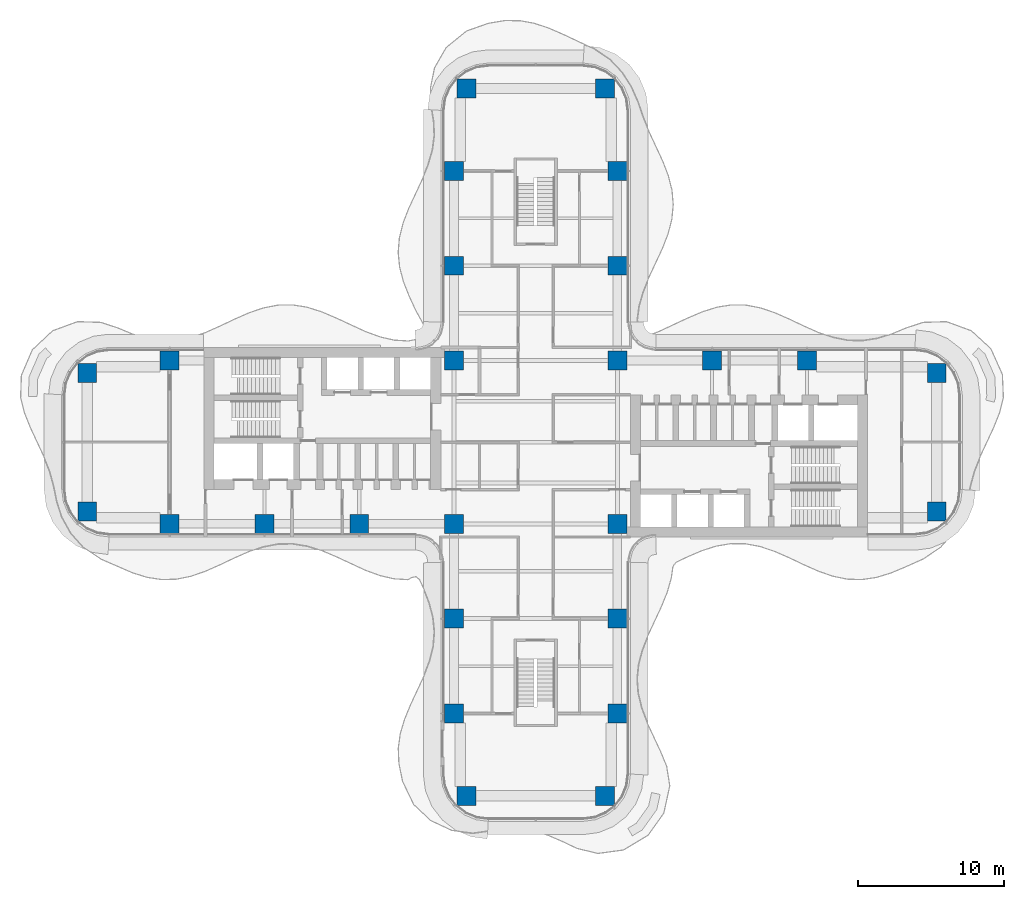
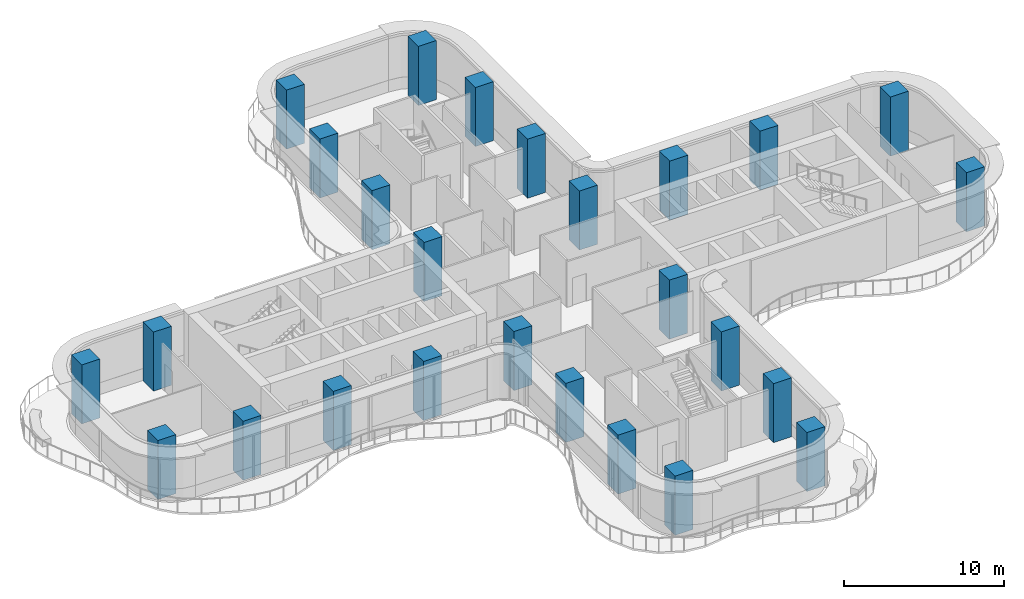
# One storey, part 1 of 20: 26 columns.
"""IFC4 building model written with IfcOpenShell, lengths in metres."""

from ifc_helpers import new_model, si_unit, direction, frame, origin, origin_2d, place, context, subcontext, project, spatial, rectangle, extrude, source, transform, mapped, material, material_profile, profile_set, type_object, element, save


model = new_model("IFC4")

# Units and contexts
model_context = context("Model", 3, precision=1e-05, world=origin(), true_north=direction((0.0, 1.0)))
body_context = subcontext(model_context, "Body", "Model", "MODEL_VIEW")
ifc_project = project(units=[si_unit("LENGTHUNIT", "METRE"), si_unit("AREAUNIT", "SQUARE_METRE"), si_unit("VOLUMEUNIT", "CUBIC_METRE"), si_unit("PLANEANGLEUNIT", "RADIAN"), si_unit("MASSUNIT", "GRAM", prefix="KILO")], contexts=[model_context])

# Site, building, storey
site_placement = place(None, origin())
site = spatial("IfcSite", under=ifc_project, at=site_placement, CompositionType="ELEMENT")
building_placement = place(site_placement, origin())
building = spatial("IfcBuilding", under=site, at=building_placement, Name="Trellis Farm Tower", CompositionType="ELEMENT")
storey_placement = place(building_placement, frame((0.0, 0.0, 142.5)))
storey = spatial("IfcBuildingStorey", under=building, at=storey_placement, Name="L30", CompositionType="ELEMENT", Elevation=142.5)

# Columns
ifc_material = material(Name="Concrete C80/95", Category="concrete")
ifc_material_profile = material_profile(ifc_material, rectangle(XDim=1.300048828125, YDim=1.300048828125, at=origin_2d()), Name="RC column 1300x1300 C80/95")
ifc_profile_set = profile_set([ifc_material_profile], Name="Concrete C80/95")
column_type = type_object("IfcColumnType", Name="RC column 1300x1300 C80/95", PredefinedType="COLUMN", material=ifc_profile_set)
shared_shape = source(origin(), body_context, "Body", "SweptSolid", [
    extrude(rectangle(XDim=1.300048828125, YDim=1.300048828125, at=origin_2d()), origin(), (0.0, 0.0, 1.0), 4.5),
])
for number, where, z_axis, x_axis, name in (
    (1, (12.10009765625, 5.60009765625, 0.0), (0.0, 0.0, 1.0), (1.0, 0.0, 0.0), "Column"),
    (2, (18.60009765625, 5.60009765625, 0.0), (0.0, 0.0, 1.0), (1.0, 0.0, 0.0), "Column"),
    (3, (27.5, 4.75, 0.0), (0.0, 0.0, 1.0), (1.0, 0.0, 0.0), "Column"),
    (4, (27.5, -4.75, 0.0), (0.0, 0.0, 1.0), (1.0, 0.0, 0.0), "Column"),
    (5, (-5.60009765625, 12.10009765625, 0.0), (0.0, 0.0, 1.0), (1.0, 0.0, 0.0), "Column"),
    (6, (-5.60009765625, 18.60009765625, 0.0), (0.0, 0.0, 1.0), (1.0, 0.0, 0.0), "Column"),
    (7, (-4.75, 24.25, 0.0), (0.0, 0.0, 1.0), (1.0, 0.0, 0.0), "Column"),
    (8, (5.60009765625, 12.10009765625, 0.0), (0.0, 0.0, 1.0), (1.0, 0.0, 0.0), "Column"),
    (9, (5.60009765625, 18.60009765625, 0.0), (0.0, 0.0, 1.0), (1.0, 0.0, 0.0), "Column"),
    (10, (4.75, 24.25, 0.0), (0.0, 0.0, 1.0), (1.0, 0.0, 0.0), "Column"),
    (11, (5.60009765625, 5.60009765625, 0.0), (0.0, 0.0, 1.0), (1.0, 0.0, 0.0), "Column"),
    (12, (-5.60009765625, 5.60009765625, 0.0), (0.0, 0.0, 1.0), (1.0, 0.0, 0.0), "Column"),
    (13, (5.60009765625, -5.60009765625, 0.0), (0.0, 0.0, 1.0), (1.0, 0.0, 0.0), "Column"),
    (14, (-5.60009765625, -5.60009765625, 0.0), (0.0, 0.0, 1.0), (1.0, 0.0, 0.0), "Column"),
    (15, (5.60009765625, -12.10009765625, 0.0), (0.0, 0.0, 1.0), (1.0, 0.0, 0.0), "Column"),
    (16, (5.60009765625, -18.60009765625, 0.0), (0.0, 0.0, 1.0), (1.0, 0.0, 0.0), "Column"),
    (17, (4.75, -24.25, 0.0), (0.0, 0.0, 1.0), (1.0, 0.0, 0.0), "Column"),
    (18, (-5.60009765625, -12.10009765625, 0.0), (0.0, 0.0, 1.0), (1.0, 0.0, 0.0), "Column"),
    (19, (-5.60009765625, -18.60009765625, 0.0), (0.0, 0.0, 1.0), (1.0, 0.0, 0.0), "Column"),
    (20, (-4.75, -24.25, 0.0), (0.0, 0.0, 1.0), (1.0, 0.0, 0.0), "Column"),
    (21, (-12.10009765625, -5.60009765625, 0.0), (0.0, 0.0, 1.0), (1.0, 0.0, 0.0), "Column"),
    (22, (-18.60009765625, -5.60009765625, 0.0), (0.0, 0.0, 1.0), (1.0, 0.0, 0.0), "Column"),
    (23, (-25.10009765625, -5.60009765625, 0.0), (0.0, 0.0, 1.0), (1.0, 0.0, 0.0), "Column"),
    (24, (-30.75, -4.75, 0.0), (0.0, 0.0, 1.0), (1.0, 0.0, 0.0), "Column"),
    (25, (-25.10009765625, 5.60009765625, 0.0), (0.0, 0.0, 1.0), (1.0, 0.0, 0.0), "Column"),
    (26, (-30.75, 4.75, 0.0), (0.0, 0.0, 1.0), (1.0, 0.0, 0.0), "Column"),
):
    element("IfcColumn", number, at=place(storey_placement, frame(where, z_axis=z_axis, x_axis=x_axis)), inside=storey, type_object=column_type, Name=name, PredefinedType="COLUMN", context=body_context, shape_type="MappedRepresentation", body=[
        mapped(shared_shape, transform((0.0, 0.0, 0.0))),
    ])

save(model, "model.ifc")
